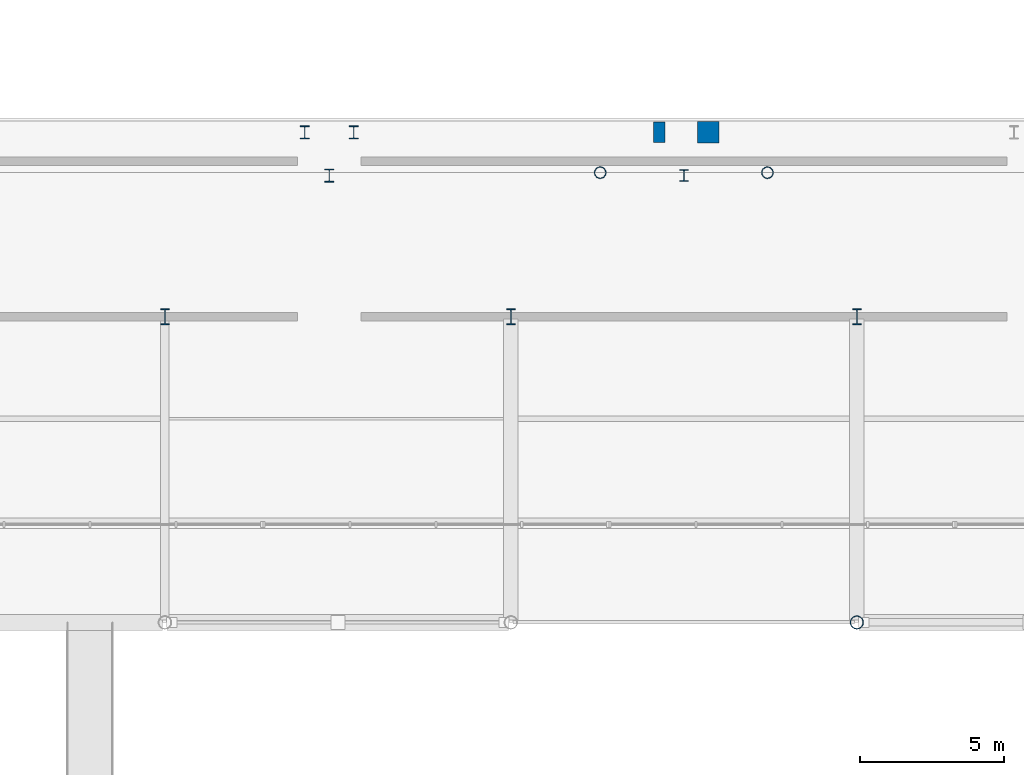
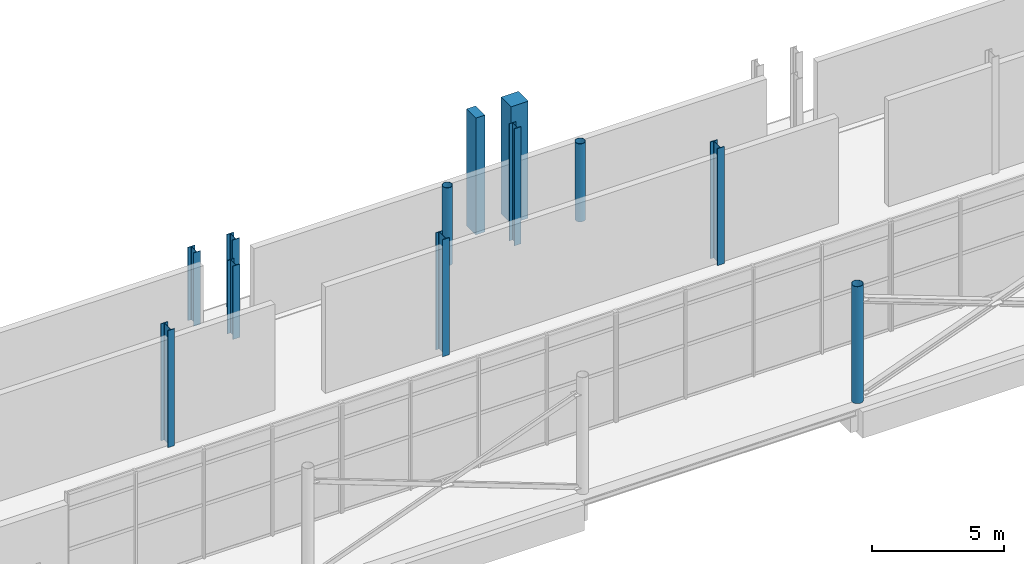
# One storey, part 2 of 85: 12 columns.
"""IFC4 building model written with IfcOpenShell, lengths in metres."""

from ifc_helpers import new_model, si_unit, direction, frame, origin, origin_2d, place, context, subcontext, project, spatial, rectangle, hollow_circle, i_section, extrude, material, material_profile, profile_set, type_object, element, save


model = new_model("IFC4")

# Units and contexts
model_context = context("Model", 3, precision=1e-05, world=origin(), true_north=direction((0.0, 1.0)))
body_context = subcontext(model_context, "Body", "Model", "MODEL_VIEW")
ifc_project = project(units=[si_unit("LENGTHUNIT", "METRE"), si_unit("AREAUNIT", "SQUARE_METRE"), si_unit("VOLUMEUNIT", "CUBIC_METRE"), si_unit("PLANEANGLEUNIT", "RADIAN"), si_unit("MASSUNIT", "GRAM", prefix="KILO"), si_unit("THERMODYNAMICTEMPERATUREUNIT", "KELVIN"), si_unit("POWERUNIT", "WATT")], contexts=[model_context])

# Site, building, storey
site_placement = place(None, origin())
site = spatial("IfcSite", under=ifc_project, at=site_placement, CompositionType="ELEMENT")
building_placement = place(site_placement, origin())
building = spatial("IfcBuilding", under=site, at=building_placement, Name="Solmara Park Aquatics Centre", CompositionType="ELEMENT")
storey_placement = place(building_placement, origin())
storey = spatial("IfcBuildingStorey", under=building, at=storey_placement, Name="L00", CompositionType="ELEMENT", Elevation=0.0)

# Columns
ifc_material_1 = material(Name="Structural Steel S355", Category="steel")
ifc_material_profile_1 = material_profile(ifc_material_1, hollow_circle(Radius=0.203125, WallThickness=0.01611328125, at=origin_2d()), Name="CHS 406.4x16")
ifc_profile_set_1 = profile_set([ifc_material_profile_1], Name="Structural Steel S355")
column_type_1 = type_object("IfcColumnType", Name="STR-COL-CHS406", PredefinedType="COLUMN", material=ifc_profile_set_1)
for number, where, z_axis, x_axis, name in (
    (1, (51.699951171875, 28.199951171875, 0.0), (0.0, 0.0, 1.0), (1.0, 0.0, 0.0), "Upper Stand Front Column L00 S1-2"),
    (2, (57.5, 28.199951171875, 0.0), (0.0, 0.0, 1.0), (1.0, 0.0, 0.0), "Upper Stand Front Column L00 S2-1"),
):
    element("IfcColumn", number, at=place(storey_placement, frame(where, z_axis=z_axis, x_axis=x_axis)), inside=storey, type_object=column_type_1, Name=name, PredefinedType="COLUMN", context=body_context, shape_type="SweptSolid", body=[
        extrude(hollow_circle(Radius=0.203125, WallThickness=0.01611328125, at=origin_2d()), origin(), (0.0, 0.0, 1.0), 3.60009765625),
    ])
ifc_material_profile_2 = material_profile(ifc_material_1, hollow_circle(Radius=0.228515625, WallThickness=0.01611328125, at=origin_2d()), Name="CHS 457x16")
ifc_profile_set_2 = profile_set([ifc_material_profile_2], Name="Structural Steel S355")
column_type_2 = type_object("IfcColumnType", Name="STR-COL-CHS457", PredefinedType="COLUMN", material=ifc_profile_set_2)
column_1_placement = place(storey_placement, frame((60.60009765625, 12.60009765625, 0.0), z_axis=(0.0, 0.0, 1.0), x_axis=(1.0, 0.0, 0.0)))
element("IfcColumn", 3, at=column_1_placement, inside=storey, type_object=column_type_2, Name="Column L00-0203", PredefinedType="COLUMN", context=body_context, shape_type="SweptSolid", body=[
    extrude(hollow_circle(Radius=0.228515625, WallThickness=0.01611328125, at=origin_2d()), origin(), (0.0, 0.0, 1.0), 5.39990234375),
])
ifc_material_profile_3 = material_profile(ifc_material_1, i_section(OverallWidth=0.300048828125, OverallDepth=0.39990234375, WebThickness=0.013427734375, FlangeThickness=0.02392578125, FilletRadius=0.027099609375, at=origin_2d()), Name="HEB 400")
ifc_profile_set_3 = profile_set([ifc_material_profile_3], Name="Structural Steel S355")
column_type_3 = type_object("IfcColumnType", Name="STR-COL-HEB400", PredefinedType="COLUMN", material=ifc_profile_set_3)
column_2_placement = place(storey_placement, frame((54.60009765625, 28.10009765625, 0.0), z_axis=(0.0, 0.0, 1.0), x_axis=(1.0, 0.0, 0.0)))
element("IfcColumn", 4, at=column_2_placement, inside=storey, type_object=column_type_3, Name="Vomitory Stair VS-06 Support Column L00-3", PredefinedType="COLUMN", context=body_context, shape_type="SweptSolid", body=[
    extrude(i_section(OverallWidth=0.300048828125, OverallDepth=0.39990234375, WebThickness=0.013427734375, FlangeThickness=0.02392578125, FilletRadius=0.027099609375, at=origin_2d()), origin(), (0.0, 0.0, 1.0), 5.39990234375),
])
ifc_material_profile_4 = material_profile(ifc_material_1, i_section(OverallWidth=0.300048828125, OverallDepth=0.449951171875, WebThickness=0.013916015625, FlangeThickness=0.02587890625, FilletRadius=0.027099609375, at=origin_2d()), Name="HEB 450")
ifc_profile_set_4 = profile_set([ifc_material_profile_4], Name="Structural Steel S355")
column_type_4 = type_object("IfcColumnType", Name="STR-COL-HEB450", PredefinedType="COLUMN", material=ifc_profile_set_4)
for number, where, z_axis, x_axis, name in (
    (5, (41.449951171875, 29.60009765625, 0.0), (0.0, 0.0, 1.0), (1.0, 0.0, 0.0), "Vomitory Stair VS-03 Support Column 1"),
    (6, (43.14990234375, 29.60009765625, 0.0), (0.0, 0.0, 1.0), (1.0, 0.0, 0.0), "Vomitory Stair VS-03 Support Column 2"),
    (7, (42.300048828125, 28.10009765625, 0.0), (0.0, 0.0, 1.0), (1.0, 0.0, 0.0), "Vomitory Stair VS-03 Support Column 3"),
):
    element("IfcColumn", number, at=place(storey_placement, frame(where, z_axis=z_axis, x_axis=x_axis)), inside=storey, type_object=column_type_4, Name=name, PredefinedType="COLUMN", context=body_context, shape_type="SweptSolid", body=[
        extrude(i_section(OverallWidth=0.300048828125, OverallDepth=0.449951171875, WebThickness=0.013916015625, FlangeThickness=0.02587890625, FilletRadius=0.027099609375, at=origin_2d()), origin(), (0.0, 0.0, 1.0), 3.3798828125),
    ])
ifc_material_profile_5 = material_profile(ifc_material_1, i_section(OverallWidth=0.300048828125, OverallDepth=0.550048828125, WebThickness=0.014892578125, FlangeThickness=0.029052734375, FilletRadius=0.027099609375, at=origin_2d()), Name="HEB 550")
ifc_profile_set_5 = profile_set([ifc_material_profile_5], Name="Structural Steel S355")
column_type_5 = type_object("IfcColumnType", Name="STR-COL-HEB550", PredefinedType="COLUMN", material=ifc_profile_set_5)
for number, where, z_axis, x_axis, name in (
    (8, (36.60009765625, 23.199951171875, 0.0), (0.0, 0.0, 1.0), (1.0, 0.0, 0.0), "Column L00-0180"),
    (9, (48.60009765625, 23.199951171875, 0.0), (0.0, 0.0, 1.0), (1.0, 0.0, 0.0), "Column L00-0190"),
    (10, (60.60009765625, 23.199951171875, 0.0), (0.0, 0.0, 1.0), (1.0, 0.0, 0.0), "Column L00-0204"),
):
    element("IfcColumn", number, at=place(storey_placement, frame(where, z_axis=z_axis, x_axis=x_axis)), inside=storey, type_object=column_type_5, Name=name, PredefinedType="COLUMN", context=body_context, shape_type="SweptSolid", body=[
        extrude(i_section(OverallWidth=0.300048828125, OverallDepth=0.550048828125, WebThickness=0.014892578125, FlangeThickness=0.029052734375, FilletRadius=0.027099609375, at=origin_2d()), origin(), (0.0, 0.0, 1.0), 5.39990234375),
    ])
ifc_material_2 = material(Name="Concrete C40/50", Category="concrete")
ifc_material_profile_6 = material_profile(ifc_material_2, rectangle(XDim=0.75, YDim=0.75, at=origin_2d()), Name="RC 750x750")
ifc_profile_set_6 = profile_set([ifc_material_profile_6], Name="Concrete C40/50")
column_type_6 = type_object("IfcColumnType", Name="STR-COL-RC750", PredefinedType="COLUMN", material=ifc_profile_set_6)
column_3_placement = place(storey_placement, frame((55.449951171875, 29.60009765625, 0.0), z_axis=(0.0, 0.0, 1.0), x_axis=(1.0, 0.0, 0.0)))
element("IfcColumn", 11, at=column_3_placement, inside=storey, type_object=column_type_6, Name="Column L00-0201", PredefinedType="COLUMN", context=body_context, shape_type="SweptSolid", body=[
    extrude(rectangle(XDim=0.75, YDim=0.75, at=origin_2d()), origin(), (0.0, 0.0, 1.0), 5.39990234375),
])
ifc_material_profile_7 = material_profile(ifc_material_2, rectangle(XDim=0.39990234375, YDim=0.699951171875, at=origin_2d()), Name="RC 400x700")
ifc_profile_set_7 = profile_set([ifc_material_profile_7], Name="Concrete C40/50")
column_type_7 = type_object("IfcColumnType", Name="STR-PIL-RC400x700", PredefinedType="PILASTER", material=ifc_profile_set_7)
column_4_placement = place(storey_placement, frame((53.75, 29.60009765625, 0.0), z_axis=(0.0, 0.0, 1.0), x_axis=(1.0, 0.0, 0.0)))
element("IfcColumn", 12, at=column_4_placement, inside=storey, type_object=column_type_7, Name="Column L00-0199", PredefinedType="PILASTER", context=body_context, shape_type="SweptSolid", body=[
    extrude(rectangle(XDim=0.39990234375, YDim=0.699951171875, at=origin_2d()), origin(), (0.0, 0.0, 1.0), 5.39990234375),
])

save(model, "model.ifc")
